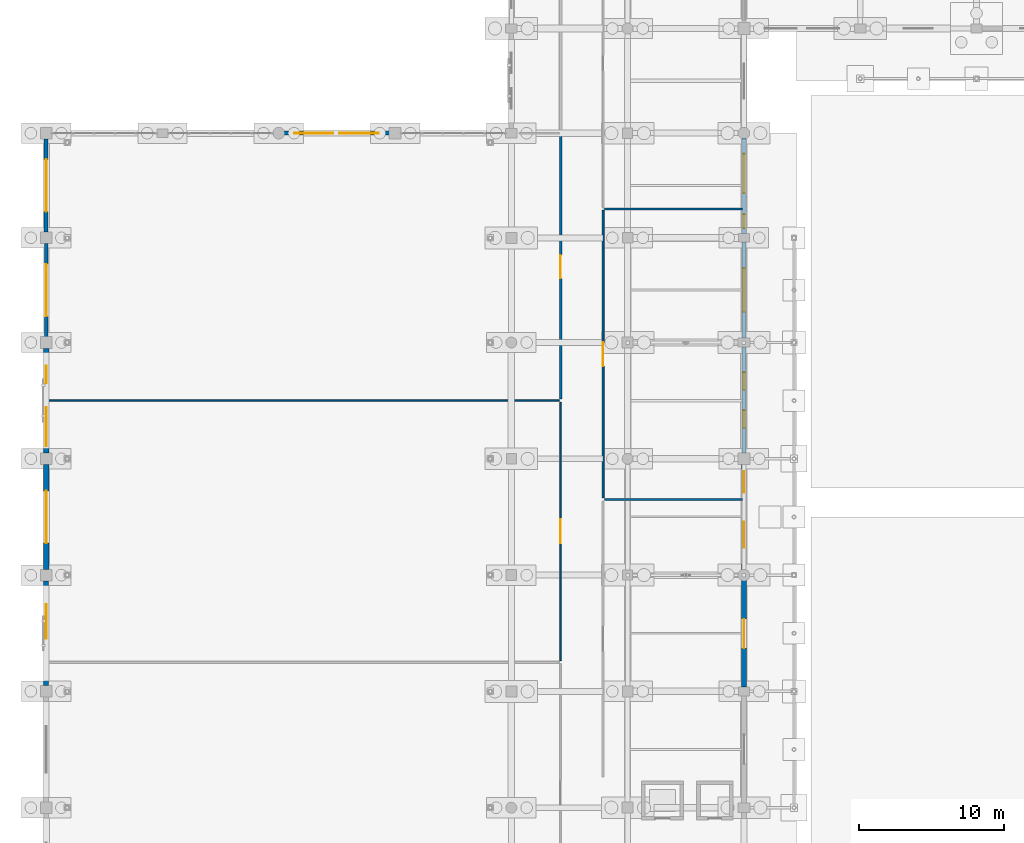
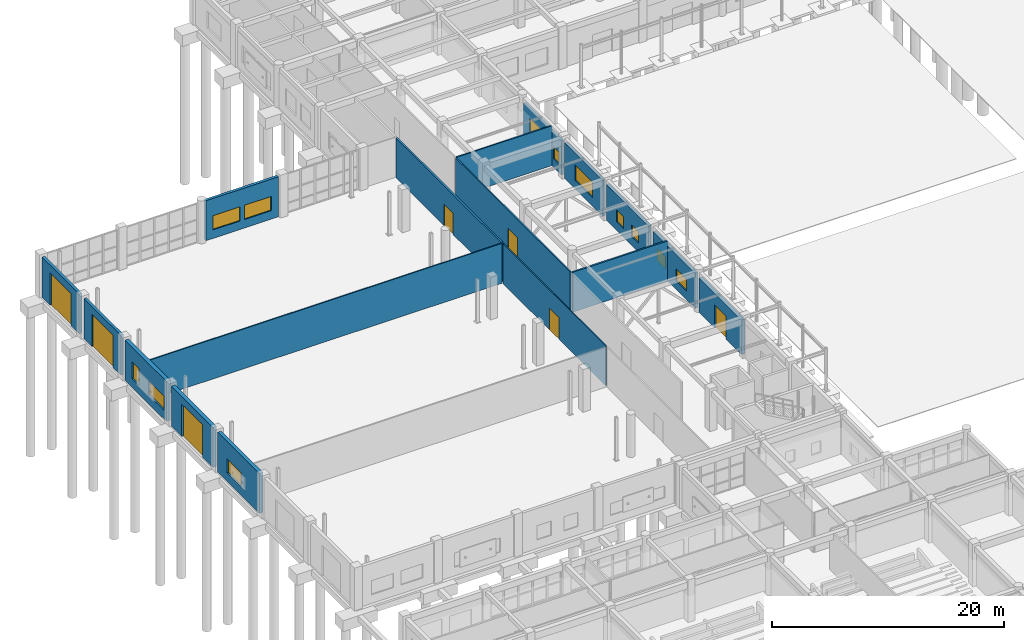
# One storey, part 134 of 166: 17 walls, 12 windows, 7 doors, 19 openings.
"""IFC4 building model written with IfcOpenShell, lengths in metres."""

from ifc_helpers import new_model, si_unit, direction, frame, frame_2d, origin, place, context, subcontext, project, spatial, rectangle, extrude, material, layer, layer_set, type_object, element, fill, save


model = new_model("IFC4")

# Units and contexts
model_context = context("Model", 3, precision=1e-05, world=origin(), true_north=direction((0.0, 1.0)))
body_context = subcontext(model_context, "Body", "Model", "MODEL_VIEW")
ifc_project = project(units=[si_unit("LENGTHUNIT", "METRE"), si_unit("AREAUNIT", "SQUARE_METRE"), si_unit("VOLUMEUNIT", "CUBIC_METRE"), si_unit("PLANEANGLEUNIT", "RADIAN"), si_unit("MASSUNIT", "GRAM", prefix="KILO")], contexts=[model_context])

# Site, building, storey
site_placement = place(None, origin())
site = spatial("IfcSite", under=ifc_project, at=site_placement, CompositionType="ELEMENT")
building_placement = place(site_placement, origin())
building = spatial("IfcBuilding", under=site, at=building_placement, Name="Kharva Crest Polytechnic", CompositionType="ELEMENT")
storey_placement = place(building_placement, origin())
storey = spatial("IfcBuildingStorey", under=building, at=storey_placement, Name="L00", CompositionType="ELEMENT", Elevation=0.0)

# Wall, opening, door
ifc_material_1 = material(Name="Kiln brick masonry", Category="masonry")
ifc_layer_1 = layer(ifc_material_1, 0.260009765625, Name="Kiln brick masonry")
ifc_layer_set_1 = layer_set([ifc_layer_1], Name="Kiln brick masonry")
wall_type_1 = type_object("IfcWallType", Name="WL-EXT-BRK-260", PredefinedType="SOLIDWALL", material=ifc_layer_set_1)
wall_1_placement = place(storey_placement, frame((0.0, 85.60498046875, 0.0), z_axis=(0.0, 0.0, 1.0), x_axis=(0.0, -1.0, 0.0)))
wall_1 = element("IfcWall", 1, at=wall_1_placement, inside=storey, type_object=wall_type_1, Name="L00 Exterior Brick Wall 60", PredefinedType="SOLIDWALL", context=body_context, shape_type="SweptSolid", body=[
    extrude(rectangle(XDim=6.409912109375, YDim=0.260009765625, at=frame_2d((3.205078125, 0.0))), origin(), (0.0, 0.0, 1.0), 4.219970703125),
])
opening_1_placement = place(wall_1_placement, frame((1.405029296875, 0.0, 0.0)))
opening_1 = element("IfcOpeningElement", 2, at=opening_1_placement, cuts=wall_1, Name="Opening GT1", PredefinedType="OPENING", context=body_context, shape_type="SweptSolid", body=[
    extrude(rectangle(XDim=3.60009765625, YDim=3.39990234375, at=frame_2d((1.800048828125, 1.699951171875))), frame((0.0, 0.139892578125, 0.0), z_axis=(0.0, -1.0, 0.0), x_axis=(1.0, 0.0, 0.0)), (0.0, 0.0, 1.0), 0.280029296875),
])
ifc_material_2 = material(Name="Anodised aluminium", Category="aluminium")
door_type_1 = type_object("IfcDoorType", Name="DR-GATE-3600X3400", OperationType="NOTDEFINED", PredefinedType="GATE", material=ifc_material_2)
door_1_placement = place(opening_1_placement, frame((3.60009765625, 0.0, 0.0), z_axis=(0.0, 0.0, 1.0), x_axis=(-1.0, 0.0, 0.0)))
door_1 = element("IfcDoor", 3, at=door_1_placement, inside=storey, type_object=door_type_1, Name="L00 Workshop Roller Shutter Gate 2", OperationType="ROLLINGUP", OverallHeight=3.39990234375, OverallWidth=3.60009765625, PredefinedType="GATE", context=body_context, shape_type="SweptSolid", body=[
    extrude(rectangle(XDim=3.60009765625, YDim=3.39990234375, at=frame_2d((1.800048828125, 1.699951171875))), frame((0.0, 0.02490234375, 0.0), z_axis=(0.0, -1.0, 0.0), x_axis=(1.0, 0.0, 0.0)), (0.0, 0.0, 1.0), 0.050048828125),
])
fill(opening_1, door_1)

# Wall, openings, windows
wall_2_placement = place(storey_placement, frame((48.0, 86.294921875, 0.0), z_axis=(0.0, 0.0, 1.0), x_axis=(0.0, 1.0, 0.0)))
wall_2 = element("IfcWall", 4, at=wall_2_placement, inside=storey, type_object=wall_type_1, Name="L00 Exterior Brick Wall 78", PredefinedType="SOLIDWALL", context=body_context, shape_type="SweptSolid", body=[
    extrude(rectangle(XDim=6.569091796875, YDim=0.260009765625, at=frame_2d((3.28466796875, 0.0))), origin(), (0.0, 0.0, 1.0), 3.60009765625),
])
opening_2_placement = place(wall_2_placement, frame((0.3779296875, 0.0, 0.89990234375)))
opening_2 = element("IfcOpeningElement", 5, at=opening_2_placement, cuts=wall_2, Name="Opening W22", PredefinedType="OPENING", context=body_context, shape_type="SweptSolid", body=[
    extrude(rectangle(XDim=0.949951171875, YDim=1.25, at=frame_2d((0.47509765625, 0.625))), frame((0.0, 0.139892578125, 0.0), z_axis=(0.0, -1.0, 0.0), x_axis=(1.0, 0.0, 0.0)), (0.0, 0.0, 1.0), 0.280029296875),
])
opening_3_placement = place(wall_2_placement, frame((2.787109375, 0.0, 0.89990234375)))
opening_3 = element("IfcOpeningElement", 6, at=opening_3_placement, cuts=wall_2, Name="Opening W01", PredefinedType="OPENING", context=body_context, shape_type="SweptSolid", body=[
    extrude(rectangle(XDim=2.699951171875, YDim=1.800048828125, at=frame_2d((1.35009765625, 0.89990234375))), frame((0.0, 0.139892578125, 0.0), z_axis=(0.0, -1.0, 0.0), x_axis=(1.0, 0.0, 0.0)), (0.0, 0.0, 1.0), 0.280029296875),
])
window_type_1 = type_object("IfcWindowType", Name="WIN-ALU-2700X1800", PartitioningType="SINGLE_PANEL", PredefinedType="WINDOW", material=ifc_material_2)
window_1_placement = place(opening_3_placement, origin())
window_1 = element("IfcWindow", 7, at=window_1_placement, inside=storey, type_object=window_type_1, Name="L00 Exterior Window 96", OverallHeight=1.800048828125, OverallWidth=2.699951171875, PartitioningType="SINGLE_PANEL", PredefinedType="WINDOW", context=body_context, shape_type="SweptSolid", body=[
    extrude(rectangle(XDim=2.699951171875, YDim=1.800048828125, at=frame_2d((1.35009765625, 0.89990234375))), frame((0.0, 0.030029296875, 0.0), z_axis=(0.0, -1.0, 0.0), x_axis=(1.0, 0.0, 0.0)), (0.0, 0.0, 1.0), 0.06005859375),
])
fill(opening_3, window_1)
window_type_2 = type_object("IfcWindowType", Name="WIN-ALU-950X1250", PartitioningType="SINGLE_PANEL", PredefinedType="WINDOW", material=ifc_material_2)
window_2_placement = place(opening_2_placement, origin())
window_2 = element("IfcWindow", 8, at=window_2_placement, inside=storey, type_object=window_type_2, Name="L00 Exterior Window 95", OverallHeight=1.25, OverallWidth=0.949951171875, PartitioningType="SINGLE_PANEL", PredefinedType="WINDOW", context=body_context, shape_type="SweptSolid", body=[
    extrude(rectangle(XDim=0.949951171875, YDim=1.25, at=frame_2d((0.47509765625, 0.625))), frame((0.0, 0.030029296875, 0.0), z_axis=(0.0, -1.0, 0.0), x_axis=(1.0, 0.0, 0.0)), (0.0, 0.0, 1.0), 0.06005859375),
])
fill(opening_2, window_2)

# Wall, opening, door
ifc_layer_2 = layer(ifc_material_1, 0.27490234375, Name="Kiln brick masonry")
ifc_layer_set_2 = layer_set([ifc_layer_2], Name="Kiln brick masonry")
wall_type_2 = type_object("IfcWallType", Name="WL-EXT-BRK-275", PredefinedType="SOLIDWALL", material=ifc_layer_set_2)
wall_3_placement = place(storey_placement, frame((0.0, 92.804931640625, 0.0), z_axis=(0.0, 0.0, 1.0), x_axis=(0.0, -1.0, 0.0)))
wall_3 = element("IfcWall", 9, at=wall_3_placement, inside=storey, type_object=wall_type_2, Name="L00 Exterior Brick Wall 59", PredefinedType="SOLIDWALL", context=body_context, shape_type="SweptSolid", body=[
    extrude(rectangle(XDim=6.409912109375, YDim=0.27490234375, at=frame_2d((3.205078125, 0.0))), origin(), (0.0, 0.0, 1.0), 4.219970703125),
])
opening_4_placement = place(wall_3_placement, frame((1.405029296875, 0.0, 0.0)))
opening_4 = element("IfcOpeningElement", 10, at=opening_4_placement, cuts=wall_3, Name="Opening GT1", PredefinedType="OPENING", context=body_context, shape_type="SweptSolid", body=[
    extrude(rectangle(XDim=3.60009765625, YDim=3.39990234375, at=frame_2d((1.800048828125, 1.699951171875))), frame((0.0, 0.1474609375, 0.0), z_axis=(0.0, -1.0, 0.0), x_axis=(1.0, 0.0, 0.0)), (0.0, 0.0, 1.0), 0.294921875),
])
door_2_placement = place(opening_4_placement, frame((3.60009765625, 0.0, 0.0), z_axis=(0.0, 0.0, 1.0), x_axis=(-1.0, 0.0, 0.0)))
door_2 = element("IfcDoor", 11, at=door_2_placement, inside=storey, type_object=door_type_1, Name="L00 Workshop Roller Shutter Gate 1", OperationType="ROLLINGUP", OverallHeight=3.39990234375, OverallWidth=3.60009765625, PredefinedType="GATE", context=body_context, shape_type="SweptSolid", body=[
    extrude(rectangle(XDim=3.60009765625, YDim=3.39990234375, at=frame_2d((1.800048828125, 1.699951171875))), frame((0.0, 0.02490234375, 0.0), z_axis=(0.0, -1.0, 0.0), x_axis=(1.0, 0.0, 0.0)), (0.0, 0.0, 1.0), 0.050048828125),
])
fill(opening_4, door_2)

# Wall, opening, window
wall_4_placement = place(storey_placement, frame((48.0, 79.1201171875, 0.0), z_axis=(0.0, 0.0, 1.0), x_axis=(0.0, 1.0, 0.0)))
wall_4 = element("IfcWall", 12, at=wall_4_placement, inside=storey, type_object=wall_type_2, Name="L00 Exterior Brick Wall 77", PredefinedType="SOLIDWALL", context=body_context, shape_type="SweptSolid", body=[
    extrude(rectangle(XDim=6.5849609375, YDim=0.27490234375, at=frame_2d((3.29248046875, 0.0))), origin(), (0.0, 0.0, 1.0), 3.780029296875),
])
opening_5_placement = place(wall_4_placement, frame((1.7919921875, 0.0, 0.89990234375)))
opening_5 = element("IfcOpeningElement", 13, at=opening_5_placement, cuts=wall_4, Name="Opening W23", PredefinedType="OPENING", context=body_context, shape_type="SweptSolid", body=[
    extrude(rectangle(XDim=3.0, YDim=1.64990234375, at=frame_2d((1.5, 0.824951171875))), frame((0.0, 0.1474609375, 0.0), z_axis=(0.0, -1.0, 0.0), x_axis=(1.0, 0.0, 0.0)), (0.0, 0.0, 1.0), 0.294921875),
])
window_type_3 = type_object("IfcWindowType", Name="WIN-ALU-3000X1650", PartitioningType="SINGLE_PANEL", PredefinedType="WINDOW", material=ifc_material_2)
window_3_placement = place(opening_5_placement, origin())
window_3 = element("IfcWindow", 14, at=window_3_placement, inside=storey, type_object=window_type_3, Name="L00 Exterior Window 94", OverallHeight=1.64990234375, OverallWidth=3.0, PartitioningType="SINGLE_PANEL", PredefinedType="WINDOW", context=body_context, shape_type="SweptSolid", body=[
    extrude(rectangle(XDim=3.0, YDim=1.64990234375, at=frame_2d((1.5, 0.824951171875))), frame((0.0, 0.030029296875, 0.0), z_axis=(0.0, -1.0, 0.0), x_axis=(1.0, 0.0, 0.0)), (0.0, 0.0, 1.0), 0.06005859375),
])
fill(opening_5, window_3)

# Wall, openings, windows
wall_5_placement = place(storey_placement, frame((23.60498046875, 93.199951171875, 0.0), z_axis=(0.0, 0.0, 1.0), x_axis=(-1.0, 0.0, 0.0)))
wall_5 = element("IfcWall", 15, at=wall_5_placement, inside=storey, type_object=wall_type_2, Name="L00 Exterior Brick Wall 122", PredefinedType="SOLIDWALL", context=body_context, shape_type="SweptSolid", body=[
    extrude(rectangle(XDim=7.26904296875, YDim=0.27490234375, at=frame_2d((3.634521484375, 0.0))), origin(), (0.0, 0.0, 1.0), 4.219970703125),
])
opening_6_placement = place(wall_5_placement, frame((0.72998046875, 0.0, 0.89990234375)))
opening_6 = element("IfcOpeningElement", 16, at=opening_6_placement, cuts=wall_5, Name="Opening W09", PredefinedType="OPENING", context=body_context, shape_type="SweptSolid", body=[
    extrude(rectangle(XDim=2.699951171875, YDim=1.5, at=frame_2d((1.35009765625, 0.75))), frame((0.0, 0.1474609375, 0.0), z_axis=(0.0, -1.0, 0.0), x_axis=(1.0, 0.0, 0.0)), (0.0, 0.0, 1.0), 0.294921875),
])
opening_7_placement = place(wall_5_placement, frame((3.839111328125, 0.0, 0.89990234375)))
opening_7 = element("IfcOpeningElement", 17, at=opening_7_placement, cuts=wall_5, Name="Opening W09", PredefinedType="OPENING", context=body_context, shape_type="SweptSolid", body=[
    extrude(rectangle(XDim=2.699951171875, YDim=1.5, at=frame_2d((1.35009765625, 0.75))), frame((0.0, 0.1474609375, 0.0), z_axis=(0.0, -1.0, 0.0), x_axis=(1.0, 0.0, 0.0)), (0.0, 0.0, 1.0), 0.294921875),
])
window_type_4 = type_object("IfcWindowType", Name="WIN-ALU-2700X1500", PartitioningType="SINGLE_PANEL", PredefinedType="WINDOW", material=ifc_material_2)
window_4_placement = place(opening_6_placement, origin())
window_4 = element("IfcWindow", 18, at=window_4_placement, inside=storey, type_object=window_type_4, Name="L00 Exterior Window 152", OverallHeight=1.5, OverallWidth=2.699951171875, PartitioningType="SINGLE_PANEL", PredefinedType="WINDOW", context=body_context, shape_type="SweptSolid", body=[
    extrude(rectangle(XDim=2.699951171875, YDim=1.5, at=frame_2d((1.35009765625, 0.75))), frame((0.0, 0.030029296875, 0.0), z_axis=(0.0, -1.0, 0.0), x_axis=(1.0, 0.0, 0.0)), (0.0, 0.0, 1.0), 0.06005859375),
])
fill(opening_6, window_4)
window_5_placement = place(opening_7_placement, origin())
window_5 = element("IfcWindow", 19, at=window_5_placement, inside=storey, type_object=window_type_4, Name="L00 Exterior Window 153", OverallHeight=1.5, OverallWidth=2.699951171875, PartitioningType="SINGLE_PANEL", PredefinedType="WINDOW", context=body_context, shape_type="SweptSolid", body=[
    extrude(rectangle(XDim=2.699951171875, YDim=1.5, at=frame_2d((1.35009765625, 0.75))), frame((0.0, 0.030029296875, 0.0), z_axis=(0.0, -1.0, 0.0), x_axis=(1.0, 0.0, 0.0)), (0.0, 0.0, 1.0), 0.06005859375),
])
fill(opening_7, window_5)

ifc_layer_3 = layer(ifc_material_1, 0.2900390625, Name="Kiln brick masonry")
ifc_layer_set_3 = layer_set([ifc_layer_3], Name="Kiln brick masonry")
wall_type_3 = type_object("IfcWallType", Name="WL-EXT-BRK-290", PredefinedType="SOLIDWALL", material=ifc_layer_set_3)
wall_6_placement = place(storey_placement, frame((48.0, 71.195068359375, 0.0), z_axis=(0.0, 0.0, 1.0), x_axis=(0.0, 1.0, 0.0)))
wall_6 = element("IfcWall", 20, at=wall_6_placement, inside=storey, type_object=wall_type_3, Name="L00 Exterior Brick Wall 76", PredefinedType="SOLIDWALL", context=body_context, shape_type="SweptSolid", body=[
    extrude(rectangle(XDim=7.284912109375, YDim=0.2900390625, at=frame_2d((3.642578125, 0.0))), origin(), (0.0, 0.0, 1.0), 3.760009765625),
])
opening_8_placement = place(wall_6_placement, frame((1.735107421875, 0.0, 0.89990234375)))
opening_8 = element("IfcOpeningElement", 21, at=opening_8_placement, cuts=wall_6, Name="Opening W21", PredefinedType="OPENING", context=body_context, shape_type="SweptSolid", body=[
    extrude(rectangle(XDim=1.199951171875, YDim=1.25, at=frame_2d((0.60009765625, 0.625))), frame((0.0, 0.155029296875, 0.0), z_axis=(0.0, -1.0, 0.0), x_axis=(1.0, 0.0, 0.0)), (0.0, 0.0, 1.0), 0.31005859375),
])
opening_9_placement = place(wall_6_placement, frame((4.35009765625, 0.0, 0.89990234375)))
opening_9 = element("IfcOpeningElement", 22, at=opening_9_placement, cuts=wall_6, Name="Opening W21", PredefinedType="OPENING", context=body_context, shape_type="SweptSolid", body=[
    extrude(rectangle(XDim=1.199951171875, YDim=1.25, at=frame_2d((0.60009765625, 0.625))), frame((0.0, 0.155029296875, 0.0), z_axis=(0.0, -1.0, 0.0), x_axis=(1.0, 0.0, 0.0)), (0.0, 0.0, 1.0), 0.31005859375),
])
window_type_5 = type_object("IfcWindowType", Name="WIN-ALU-1200X1250", PartitioningType="SINGLE_PANEL", PredefinedType="WINDOW", material=ifc_material_2)
window_6_placement = place(opening_8_placement, origin())
window_6 = element("IfcWindow", 23, at=window_6_placement, inside=storey, type_object=window_type_5, Name="L00 Exterior Window 92", OverallHeight=1.25, OverallWidth=1.199951171875, PartitioningType="SINGLE_PANEL", PredefinedType="WINDOW", context=body_context, shape_type="SweptSolid", body=[
    extrude(rectangle(XDim=1.199951171875, YDim=1.25, at=frame_2d((0.60009765625, 0.625))), frame((0.0, 0.030029296875, 0.0), z_axis=(0.0, -1.0, 0.0), x_axis=(1.0, 0.0, 0.0)), (0.0, 0.0, 1.0), 0.06005859375),
])
fill(opening_8, window_6)
window_7_placement = place(opening_9_placement, origin())
window_7 = element("IfcWindow", 24, at=window_7_placement, inside=storey, type_object=window_type_5, Name="L00 Exterior Window 93", OverallHeight=1.25, OverallWidth=1.199951171875, PartitioningType="SINGLE_PANEL", PredefinedType="WINDOW", context=body_context, shape_type="SweptSolid", body=[
    extrude(rectangle(XDim=1.199951171875, YDim=1.25, at=frame_2d((0.60009765625, 0.625))), frame((0.0, 0.030029296875, 0.0), z_axis=(0.0, -1.0, 0.0), x_axis=(1.0, 0.0, 0.0)), (0.0, 0.0, 1.0), 0.06005859375),
])
fill(opening_9, window_7)

ifc_layer_4 = layer(ifc_material_1, 0.304931640625, Name="Kiln brick masonry")
ifc_layer_set_4 = layer_set([ifc_layer_4], Name="Kiln brick masonry")
wall_type_4 = type_object("IfcWallType", Name="WL-EXT-BRK-305", PredefinedType="SOLIDWALL", material=ifc_layer_set_4)
wall_7_placement = place(storey_placement, frame((48.0, 63.135986328125, 0.0), z_axis=(0.0, 0.0, 1.0), x_axis=(0.0, 1.0, 0.0)))
wall_7 = element("IfcWall", 25, at=wall_7_placement, inside=storey, type_object=wall_type_4, Name="L00 Exterior Brick Wall 75", PredefinedType="SOLIDWALL", context=body_context, shape_type="SweptSolid", body=[
    extrude(rectangle(XDim=7.26904296875, YDim=0.304931640625, at=frame_2d((3.634521484375, 0.0))), origin(), (0.0, 0.0, 1.0), 3.699951171875),
])
opening_10_placement = place(wall_7_placement, frame((1.531982421875, 0.0, 0.89990234375)))
opening_10 = element("IfcOpeningElement", 26, at=opening_10_placement, cuts=wall_7, Name="Opening W19", PredefinedType="OPENING", context=body_context, shape_type="SweptSolid", body=[
    extrude(rectangle(XDim=1.800048828125, YDim=1.25, at=frame_2d((0.89990234375, 0.625))), frame((0.0, 0.162353515625, 0.0), z_axis=(0.0, -1.0, 0.0), x_axis=(1.0, 0.0, 0.0)), (0.0, 0.0, 1.0), 0.324951171875),
])
opening_11_placement = place(wall_7_placement, frame((5.31591796875, 0.0, 0.89990234375)))
opening_11 = element("IfcOpeningElement", 27, at=opening_11_placement, cuts=wall_7, Name="Opening W20", PredefinedType="OPENING", context=body_context, shape_type="SweptSolid", body=[
    extrude(rectangle(XDim=1.5, YDim=1.25, at=frame_2d((0.75, 0.625))), frame((0.0, 0.162353515625, 0.0), z_axis=(0.0, -1.0, 0.0), x_axis=(1.0, 0.0, 0.0)), (0.0, 0.0, 1.0), 0.324951171875),
])
window_type_6 = type_object("IfcWindowType", Name="WIN-ALU-1500X1250", PartitioningType="SINGLE_PANEL", PredefinedType="WINDOW", material=ifc_material_2)
window_8_placement = place(opening_11_placement, origin())
window_8 = element("IfcWindow", 28, at=window_8_placement, inside=storey, type_object=window_type_6, Name="L00 Exterior Window 91", OverallHeight=1.25, OverallWidth=1.5, PartitioningType="SINGLE_PANEL", PredefinedType="WINDOW", context=body_context, shape_type="SweptSolid", body=[
    extrude(rectangle(XDim=1.5, YDim=1.25, at=frame_2d((0.75, 0.625))), frame((0.0, 0.030029296875, 0.0), z_axis=(0.0, -1.0, 0.0), x_axis=(1.0, 0.0, 0.0)), (0.0, 0.0, 1.0), 0.06005859375),
])
fill(opening_11, window_8)
window_type_7 = type_object("IfcWindowType", Name="WIN-ALU-1800X1250", PartitioningType="SINGLE_PANEL", PredefinedType="WINDOW", material=ifc_material_2)
window_9_placement = place(opening_10_placement, origin())
window_9 = element("IfcWindow", 29, at=window_9_placement, inside=storey, type_object=window_type_7, Name="L00 Exterior Window 90", OverallHeight=1.25, OverallWidth=1.800048828125, PartitioningType="SINGLE_PANEL", PredefinedType="WINDOW", context=body_context, shape_type="SweptSolid", body=[
    extrude(rectangle(XDim=1.800048828125, YDim=1.25, at=frame_2d((0.89990234375, 0.625))), frame((0.0, 0.030029296875, 0.0), z_axis=(0.0, -1.0, 0.0), x_axis=(1.0, 0.0, 0.0)), (0.0, 0.0, 1.0), 0.06005859375),
])
fill(opening_10, window_9)

# Wall, opening, door
ifc_layer_5 = layer(ifc_material_1, 0.320068359375, Name="Kiln brick masonry")
ifc_layer_set_5 = layer_set([ifc_layer_5], Name="Kiln brick masonry")
wall_type_5 = type_object("IfcWallType", Name="WL-EXT-BRK-320", PredefinedType="SOLIDWALL", material=ifc_layer_set_5)
wall_8_placement = place(storey_placement, frame((48.0, 55.094970703125, 0.0), z_axis=(0.0, 0.0, 1.0), x_axis=(0.0, 1.0, 0.0)))
wall_8 = element("IfcWall", 30, at=wall_8_placement, inside=storey, type_object=wall_type_5, Name="L00 Exterior Brick Wall 74", PredefinedType="SOLIDWALL", context=body_context, shape_type="SweptSolid", body=[
    extrude(rectangle(XDim=7.369140625, YDim=0.320068359375, at=frame_2d((3.6845703125, 0.0))), origin(), (0.0, 0.0, 1.0), 3.639892578125),
])
opening_12_placement = place(wall_8_placement, frame((2.68408203125, 0.0, 0.0)))
opening_12 = element("IfcOpeningElement", 31, at=opening_12_placement, cuts=wall_8, Name="Opening ED2", PredefinedType="OPENING", context=body_context, shape_type="SweptSolid", body=[
    extrude(rectangle(XDim=2.0, YDim=2.39990234375, at=frame_2d((1.0, 1.199951171875))), frame((0.0, 0.169921875, 0.0), z_axis=(0.0, -1.0, 0.0), x_axis=(1.0, 0.0, 0.0)), (0.0, 0.0, 1.0), 0.340087890625),
])
door_type_2 = type_object("IfcDoorType", Name="DR-EXT-DBL-2000X2400", OperationType="NOTDEFINED", PredefinedType="DOOR", material=ifc_material_2)
door_3_placement = place(opening_12_placement, frame((2.0, 0.0, 0.0), z_axis=(0.0, 0.0, 1.0), x_axis=(-1.0, 0.0, 0.0)))
door_3 = element("IfcDoor", 32, at=door_3_placement, inside=storey, type_object=door_type_2, Name="L00 VER_W_L00 Access Door 16", OperationType="DOUBLE_DOOR_SINGLE_SWING", OverallHeight=2.39990234375, OverallWidth=2.0, PredefinedType="DOOR", context=body_context, shape_type="SweptSolid", body=[
    extrude(rectangle(XDim=2.0, YDim=2.39990234375, at=frame_2d((1.0, 1.199951171875))), frame((0.0, 0.02490234375, 0.0), z_axis=(0.0, -1.0, 0.0), x_axis=(1.0, 0.0, 0.0)), (0.0, 0.0, 1.0), 0.050048828125),
])
fill(opening_12, door_3)

# Wall, opening, window
ifc_layer_6 = layer(ifc_material_1, 0.35009765625, Name="Kiln brick masonry")
ifc_layer_set_6 = layer_set([ifc_layer_6], Name="Kiln brick masonry")
wall_type_6 = type_object("IfcWallType", Name="WL-EXT-BRK-350", PredefinedType="SOLIDWALL", material=ifc_layer_set_6)
wall_9_placement = place(storey_placement, frame((0.0, 62.405029296875, 0.0), z_axis=(0.0, 0.0, 1.0), x_axis=(0.0, -1.0, 0.0)))
wall_9 = element("IfcWall", 33, at=wall_9_placement, inside=storey, type_object=wall_type_6, Name="L00 Exterior Brick Wall 63", PredefinedType="SOLIDWALL", context=body_context, shape_type="SweptSolid", body=[
    extrude(rectangle(XDim=7.2099609375, YDim=0.35009765625, at=frame_2d((3.60498046875, 0.0))), origin(), (0.0, 0.0, 1.0), 4.219970703125),
])
opening_13_placement = place(wall_9_placement, frame((1.596923828125, 0.0, 0.89990234375)))
opening_13 = element("IfcOpeningElement", 34, at=opening_13_placement, cuts=wall_9, Name="Opening W10", PredefinedType="OPENING", context=body_context, shape_type="SweptSolid", body=[
    extrude(rectangle(XDim=2.39990234375, YDim=1.5, at=frame_2d((1.199951171875, 0.75))), frame((0.0, 0.18505859375, 0.0), z_axis=(0.0, -1.0, 0.0), x_axis=(1.0, 0.0, 0.0)), (0.0, 0.0, 1.0), 0.3701171875),
])
window_type_8 = type_object("IfcWindowType", Name="WIN-ALU-2400X1500", PartitioningType="SINGLE_PANEL", PredefinedType="WINDOW", material=ifc_material_2)
window_10_placement = place(opening_13_placement, origin())
window_10 = element("IfcWindow", 35, at=window_10_placement, inside=storey, type_object=window_type_8, Name="L00 Exterior Window 81", OverallHeight=1.5, OverallWidth=2.39990234375, PartitioningType="SINGLE_PANEL", PredefinedType="WINDOW", context=body_context, shape_type="SweptSolid", body=[
    extrude(rectangle(XDim=2.39990234375, YDim=1.5, at=frame_2d((1.199951171875, 0.75))), frame((0.0, 0.030029296875, 0.0), z_axis=(0.0, -1.0, 0.0), x_axis=(1.0, 0.0, 0.0)), (0.0, 0.0, 1.0), 0.06005859375),
])
fill(opening_13, window_10)

# Wall, opening, door
ifc_layer_7 = layer(ifc_material_1, 0.364990234375, Name="Kiln brick masonry")
ifc_layer_set_7 = layer_set([ifc_layer_7], Name="Kiln brick masonry")
wall_type_7 = type_object("IfcWallType", Name="WL-EXT-BRK-365", PredefinedType="SOLIDWALL", material=ifc_layer_set_7)
wall_10_placement = place(storey_placement, frame((0.0, 70.405029296875, 0.0), z_axis=(0.0, 0.0, 1.0), x_axis=(0.0, -1.0, 0.0)))
wall_10 = element("IfcWall", 36, at=wall_10_placement, inside=storey, type_object=wall_type_7, Name="L00 Exterior Brick Wall 62", PredefinedType="SOLIDWALL", context=body_context, shape_type="SweptSolid", body=[
    extrude(rectangle(XDim=7.2099609375, YDim=0.364990234375, at=frame_2d((3.60498046875, 0.0))), origin(), (0.0, 0.0, 1.0), 4.219970703125),
])
opening_14_placement = place(wall_10_placement, frame((1.804931640625, 0.0, 0.0)))
opening_14 = element("IfcOpeningElement", 37, at=opening_14_placement, cuts=wall_10, Name="Opening GT1", PredefinedType="OPENING", context=body_context, shape_type="SweptSolid", body=[
    extrude(rectangle(XDim=3.60009765625, YDim=3.39990234375, at=frame_2d((1.800048828125, 1.699951171875))), frame((0.0, 0.1923828125, 0.0), z_axis=(0.0, -1.0, 0.0), x_axis=(1.0, 0.0, 0.0)), (0.0, 0.0, 1.0), 0.385009765625),
])
door_4_placement = place(opening_14_placement, frame((3.60009765625, 0.0, 0.0), z_axis=(0.0, 0.0, 1.0), x_axis=(-1.0, 0.0, 0.0)))
door_4 = element("IfcDoor", 38, at=door_4_placement, inside=storey, type_object=door_type_1, Name="L00 Workshop Roller Shutter Gate 3", OperationType="ROLLINGUP", OverallHeight=3.39990234375, OverallWidth=3.60009765625, PredefinedType="GATE", context=body_context, shape_type="SweptSolid", body=[
    extrude(rectangle(XDim=3.60009765625, YDim=3.39990234375, at=frame_2d((1.800048828125, 1.699951171875))), frame((0.0, 0.02490234375, 0.0), z_axis=(0.0, -1.0, 0.0), x_axis=(1.0, 0.0, 0.0)), (0.0, 0.0, 1.0), 0.050048828125),
])
fill(opening_14, door_4)

# Wall, openings, windows
ifc_layer_8 = layer(ifc_material_1, 0.3798828125, Name="Kiln brick masonry")
ifc_layer_set_8 = layer_set([ifc_layer_8], Name="Kiln brick masonry")
wall_type_8 = type_object("IfcWallType", Name="WL-EXT-BRK-380", PredefinedType="SOLIDWALL", material=ifc_layer_set_8)
wall_11_placement = place(storey_placement, frame((0.0, 78.405029296875, 0.0), z_axis=(0.0, 0.0, 1.0), x_axis=(0.0, -1.0, 0.0)))
wall_11 = element("IfcWall", 39, at=wall_11_placement, inside=storey, type_object=wall_type_8, Name="L00 Exterior Brick Wall 61", PredefinedType="SOLIDWALL", context=body_context, shape_type="SweptSolid", body=[
    extrude(rectangle(XDim=7.2099609375, YDim=0.3798828125, at=frame_2d((3.60498046875, 0.0))), origin(), (0.0, 0.0, 1.0), 4.219970703125),
])
opening_15_placement = place(wall_11_placement, frame((1.197998046875, 0.0, 0.89990234375)))
opening_15 = element("IfcOpeningElement", 40, at=opening_15_placement, cuts=wall_11, Name="Opening W08", PredefinedType="OPENING", context=body_context, shape_type="SweptSolid", body=[
    extrude(rectangle(XDim=1.199951171875, YDim=1.800048828125, at=frame_2d((0.60009765625, 0.89990234375))), frame((0.0, 0.199951171875, 0.0), z_axis=(0.0, -1.0, 0.0), x_axis=(1.0, 0.0, 0.0)), (0.0, 0.0, 1.0), 0.39990234375),
])
opening_16_placement = place(wall_11_placement, frame((4.052978515625, 0.0, 0.89990234375)))
opening_16 = element("IfcOpeningElement", 41, at=opening_16_placement, cuts=wall_11, Name="Opening W09", PredefinedType="OPENING", context=body_context, shape_type="SweptSolid", body=[
    extrude(rectangle(XDim=2.699951171875, YDim=1.5, at=frame_2d((1.35009765625, 0.75))), frame((0.0, 0.199951171875, 0.0), z_axis=(0.0, -1.0, 0.0), x_axis=(1.0, 0.0, 0.0)), (0.0, 0.0, 1.0), 0.39990234375),
])
window_type_9 = type_object("IfcWindowType", Name="WIN-ALU-1200X1800", PartitioningType="SINGLE_PANEL", PredefinedType="WINDOW", material=ifc_material_2)
window_11_placement = place(opening_15_placement, origin())
window_11 = element("IfcWindow", 42, at=window_11_placement, inside=storey, type_object=window_type_9, Name="L00 Exterior Window 79", OverallHeight=1.800048828125, OverallWidth=1.199951171875, PartitioningType="SINGLE_PANEL", PredefinedType="WINDOW", context=body_context, shape_type="SweptSolid", body=[
    extrude(rectangle(XDim=1.199951171875, YDim=1.800048828125, at=frame_2d((0.60009765625, 0.89990234375))), frame((0.0, 0.030029296875, 0.0), z_axis=(0.0, -1.0, 0.0), x_axis=(1.0, 0.0, 0.0)), (0.0, 0.0, 1.0), 0.06005859375),
])
fill(opening_15, window_11)
window_12_placement = place(opening_16_placement, origin())
window_12 = element("IfcWindow", 43, at=window_12_placement, inside=storey, type_object=window_type_4, Name="L00 Exterior Window 80", OverallHeight=1.5, OverallWidth=2.699951171875, PartitioningType="SINGLE_PANEL", PredefinedType="WINDOW", context=body_context, shape_type="SweptSolid", body=[
    extrude(rectangle(XDim=2.699951171875, YDim=1.5, at=frame_2d((1.35009765625, 0.75))), frame((0.0, 0.030029296875, 0.0), z_axis=(0.0, -1.0, 0.0), x_axis=(1.0, 0.0, 0.0)), (0.0, 0.0, 1.0), 0.06005859375),
])
fill(opening_16, window_12)

# Wall, opening, door
ifc_layer_9 = layer(ifc_material_1, 0.10009765625, Name="Kiln brick masonry")
ifc_layer_set_9 = layer_set([ifc_layer_9], Name="Kiln brick masonry")
wall_type_9 = type_object("IfcWallType", Name="WL-PART-100", PredefinedType="PARTITIONING", material=ifc_layer_set_9)
wall_12_placement = place(storey_placement, frame((35.389892578125, 56.919921875, 0.0), z_axis=(0.0, 0.0, 1.0), x_axis=(0.0, 1.0, 0.0)))
wall_12 = element("IfcWall", 44, at=wall_12_placement, inside=storey, type_object=wall_type_9, Name="L00 Interior Partition 28", PredefinedType="PARTITIONING", context=body_context, shape_type="SweptSolid", body=[
    extrude(rectangle(XDim=17.77001953125, YDim=0.10009765625, at=frame_2d((8.885009765625, 0.0))), origin(), (0.0, 0.0, 1.0), 4.199951171875),
])
opening_17_placement = place(wall_12_placement, frame((8.06005859375, 0.0, 0.0)))
opening_17 = element("IfcOpeningElement", 45, at=opening_17_placement, cuts=wall_12, Name="Opening ID3", PredefinedType="OPENING", context=body_context, shape_type="SweptSolid", body=[
    extrude(rectangle(XDim=1.64990234375, YDim=2.300048828125, at=frame_2d((0.824951171875, 1.14990234375))), frame((0.0, 0.06005859375, 0.0), z_axis=(0.0, -1.0, 0.0), x_axis=(1.0, 0.0, 0.0)), (0.0, 0.0, 1.0), 0.1201171875),
])
ifc_material_3 = material(Name="Teak timber", Category="wood")
door_type_3 = type_object("IfcDoorType", Name="DR-WKSHP-DBL-1650X2300", OperationType="NOTDEFINED", PredefinedType="DOOR", material=ifc_material_3)
door_5_placement = place(opening_17_placement, origin())
door_5 = element("IfcDoor", 46, at=door_5_placement, inside=storey, type_object=door_type_3, Name="L00 Welding and Sheet-Metal Fabrication Workshop Door", OperationType="DOUBLE_DOOR_SINGLE_SWING", OverallHeight=2.300048828125, OverallWidth=1.64990234375, PredefinedType="DOOR", context=body_context, shape_type="SweptSolid", body=[
    extrude(rectangle(XDim=1.64990234375, YDim=2.300048828125, at=frame_2d((0.824951171875, 1.14990234375))), frame((0.0, 0.02490234375, 0.0), z_axis=(0.0, -1.0, 0.0), x_axis=(1.0, 0.0, 0.0)), (0.0, 0.0, 1.0), 0.050048828125),
])
fill(opening_17, door_5)

# Wall
ifc_layer_10 = layer(ifc_material_1, 0.110107421875, Name="Kiln brick masonry")
ifc_layer_set_10 = layer_set([ifc_layer_10], Name="Kiln brick masonry")
wall_type_10 = type_object("IfcWallType", Name="WL-PART-110", PredefinedType="PARTITIONING", material=ifc_layer_set_10)
wall_13_placement = place(storey_placement, frame((0.110107421875, 74.800048828125, 0.0), z_axis=(0.0, 0.0, 1.0), x_axis=(1.0, 0.0, 0.0)))
element("IfcWall", 47, at=wall_13_placement, inside=storey, type_object=wall_type_10, Name="L00 Interior Partition 27", PredefinedType="PARTITIONING", context=body_context, shape_type="SweptSolid", body=[
    extrude(rectangle(XDim=35.169921875, YDim=0.110107421875, at=frame_2d((17.5849609375, 0.0))), origin(), (0.0, 0.0, 1.0), 4.199951171875),
])

# Wall, opening, door
ifc_layer_11 = layer(ifc_material_1, 0.1298828125, Name="Kiln brick masonry")
ifc_layer_set_11 = layer_set([ifc_layer_11], Name="Kiln brick masonry")
wall_type_11 = type_object("IfcWallType", Name="WL-PART-130", PredefinedType="PARTITIONING", material=ifc_layer_set_11)
wall_14_placement = place(storey_placement, frame((38.31005859375, 68.1201171875, 0.0), z_axis=(0.0, 0.0, 1.0), x_axis=(0.0, 1.0, 0.0)))
wall_14 = element("IfcWall", 48, at=wall_14_placement, inside=storey, type_object=wall_type_11, Name="L00 Interior Partition 35", PredefinedType="PARTITIONING", context=body_context, shape_type="SweptSolid", body=[
    extrude(rectangle(XDim=19.769775390625, YDim=0.1298828125, at=frame_2d((9.884765625, 0.0))), origin(), (0.0, 0.0, 1.0), 4.199951171875),
])
opening_18_placement = place(wall_14_placement, frame((9.06005859375, 0.0, 0.0)))
opening_18 = element("IfcOpeningElement", 49, at=opening_18_placement, cuts=wall_14, Name="Opening ID3", PredefinedType="OPENING", context=body_context, shape_type="SweptSolid", body=[
    extrude(rectangle(XDim=1.64990234375, YDim=2.300048828125, at=frame_2d((0.824951171875, 1.14990234375))), frame((0.0, 0.074951171875, 0.0), z_axis=(0.0, -1.0, 0.0), x_axis=(1.0, 0.0, 0.0)), (0.0, 0.0, 1.0), 0.14990234375),
])
door_6_placement = place(opening_18_placement, origin())
door_6 = element("IfcDoor", 50, at=door_6_placement, inside=storey, type_object=door_type_3, Name="L00 Automotive Powertrain Workshop Door", OperationType="DOUBLE_DOOR_SINGLE_SWING", OverallHeight=2.300048828125, OverallWidth=1.64990234375, PredefinedType="DOOR", context=body_context, shape_type="SweptSolid", body=[
    extrude(rectangle(XDim=1.64990234375, YDim=2.300048828125, at=frame_2d((0.824951171875, 1.14990234375))), frame((0.0, 0.02490234375, 0.0), z_axis=(0.0, -1.0, 0.0), x_axis=(1.0, 0.0, 0.0)), (0.0, 0.0, 1.0), 0.050048828125),
])
fill(opening_18, door_6)

# Walls
ifc_layer_12 = layer(ifc_material_1, 0.139892578125, Name="Kiln brick masonry")
ifc_layer_set_12 = layer_set([ifc_layer_12], Name="Kiln brick masonry")
wall_type_12 = type_object("IfcWallType", Name="WL-PART-140", PredefinedType="PARTITIONING", material=ifc_layer_set_12)
wall_15_placement = place(storey_placement, frame((38.419921875, 88.0, 0.0), z_axis=(0.0, 0.0, 1.0), x_axis=(1.0, 0.0, 0.0)))
element("IfcWall", 51, at=wall_15_placement, inside=storey, type_object=wall_type_12, Name="L00 Interior Partition 34", PredefinedType="PARTITIONING", context=body_context, shape_type="SweptSolid", body=[
    extrude(rectangle(XDim=9.469970703125, YDim=0.139892578125, at=frame_2d((4.73486328125, 0.0))), origin(), (0.0, 0.0, 1.0), 4.199951171875),
])
ifc_layer_13 = layer(ifc_material_1, 0.159912109375, Name="Kiln brick masonry")
ifc_layer_set_13 = layer_set([ifc_layer_13], Name="Kiln brick masonry")
wall_type_13 = type_object("IfcWallType", Name="WL-PART-160", PredefinedType="PARTITIONING", material=ifc_layer_set_13)
wall_16_placement = place(storey_placement, frame((38.419921875, 68.0, 0.0), z_axis=(0.0, 0.0, 1.0), x_axis=(1.0, 0.0, 0.0)))
element("IfcWall", 52, at=wall_16_placement, inside=storey, type_object=wall_type_13, Name="L00 Interior Partition 32", PredefinedType="PARTITIONING", context=body_context, shape_type="SweptSolid", body=[
    extrude(rectangle(XDim=9.469970703125, YDim=0.159912109375, at=frame_2d((4.73486328125, 0.0))), origin(), (0.0, 0.0, 1.0), 4.199951171875),
])

# Wall, opening, door
ifc_layer_14 = layer(ifc_material_1, 0.179931640625, Name="Kiln brick masonry")
ifc_layer_set_14 = layer_set([ifc_layer_14], Name="Kiln brick masonry")
wall_type_14 = type_object("IfcWallType", Name="WL-PART-180", PredefinedType="PARTITIONING", material=ifc_layer_set_14)
wall_17_placement = place(storey_placement, frame((35.389892578125, 74.919921875, 0.0), z_axis=(0.0, 0.0, 1.0), x_axis=(0.0, 1.0, 0.0)))
wall_17 = element("IfcWall", 53, at=wall_17_placement, inside=storey, type_object=wall_type_14, Name="L00 Interior Partition 30", PredefinedType="PARTITIONING", context=body_context, shape_type="SweptSolid", body=[
    extrude(rectangle(XDim=18.170166015625, YDim=0.179931640625, at=frame_2d((9.0849609375, 0.0))), origin(), (0.0, 0.0, 1.0), 4.199951171875),
])
opening_19_placement = place(wall_17_placement, frame((8.284912109375, 0.0, 0.0)))
opening_19 = element("IfcOpeningElement", 54, at=opening_19_placement, cuts=wall_17, Name="Opening ID4", PredefinedType="OPENING", context=body_context, shape_type="SweptSolid", body=[
    extrude(rectangle(XDim=1.60009765625, YDim=2.25, at=frame_2d((0.800048828125, 1.125))), frame((0.0, 0.099853515625, 0.0), z_axis=(0.0, -1.0, 0.0), x_axis=(1.0, 0.0, 0.0)), (0.0, 0.0, 1.0), 0.199951171875),
])
door_type_4 = type_object("IfcDoorType", Name="DR-WKSHP-DBL-1600X2250", OperationType="NOTDEFINED", PredefinedType="DOOR", material=ifc_material_3)
door_7_placement = place(opening_19_placement, origin())
door_7 = element("IfcDoor", 55, at=door_7_placement, inside=storey, type_object=door_type_4, Name="L00 Structural Testing and Timber Carpentry Workshop Door", OperationType="DOUBLE_DOOR_SINGLE_SWING", OverallHeight=2.25, OverallWidth=1.60009765625, PredefinedType="DOOR", context=body_context, shape_type="SweptSolid", body=[
    extrude(rectangle(XDim=1.60009765625, YDim=2.25, at=frame_2d((0.800048828125, 1.125))), frame((0.0, 0.02490234375, 0.0), z_axis=(0.0, -1.0, 0.0), x_axis=(1.0, 0.0, 0.0)), (0.0, 0.0, 1.0), 0.050048828125),
])
fill(opening_19, door_7)

save(model, "model.ifc")
